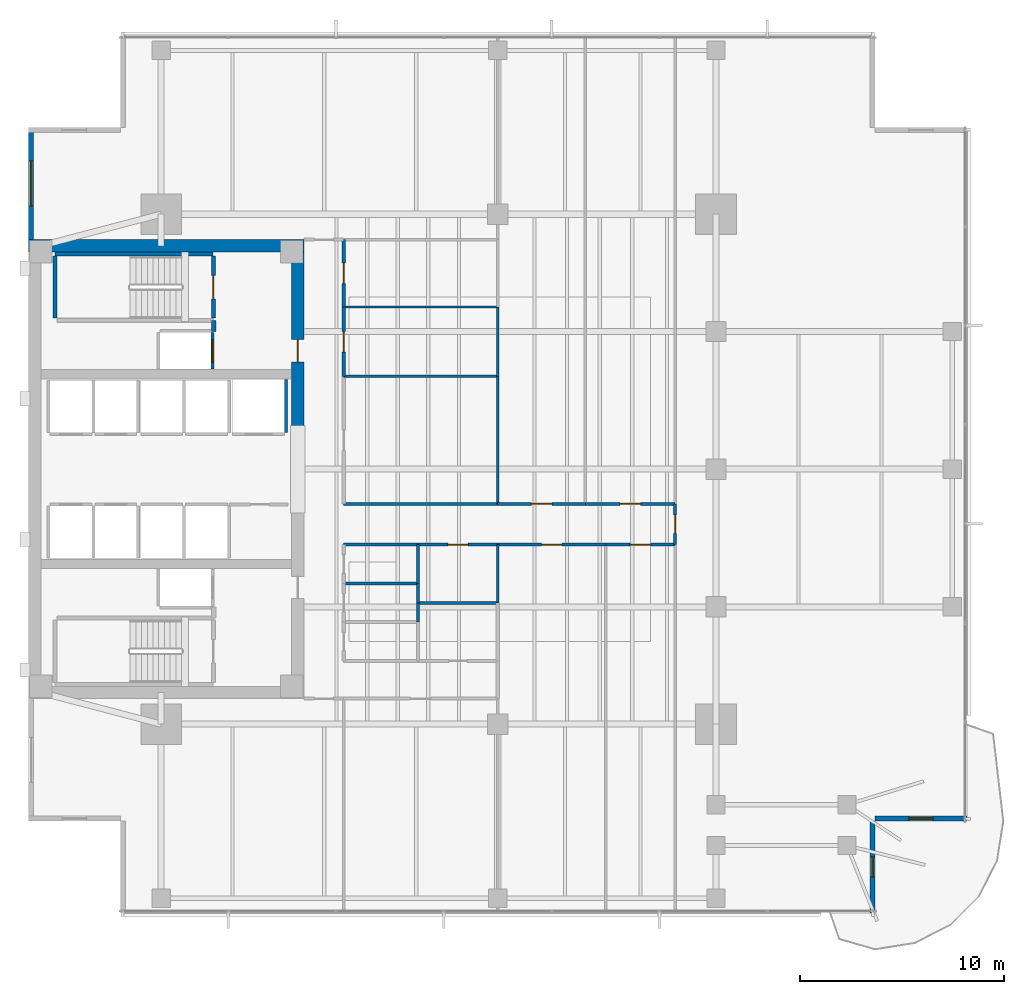
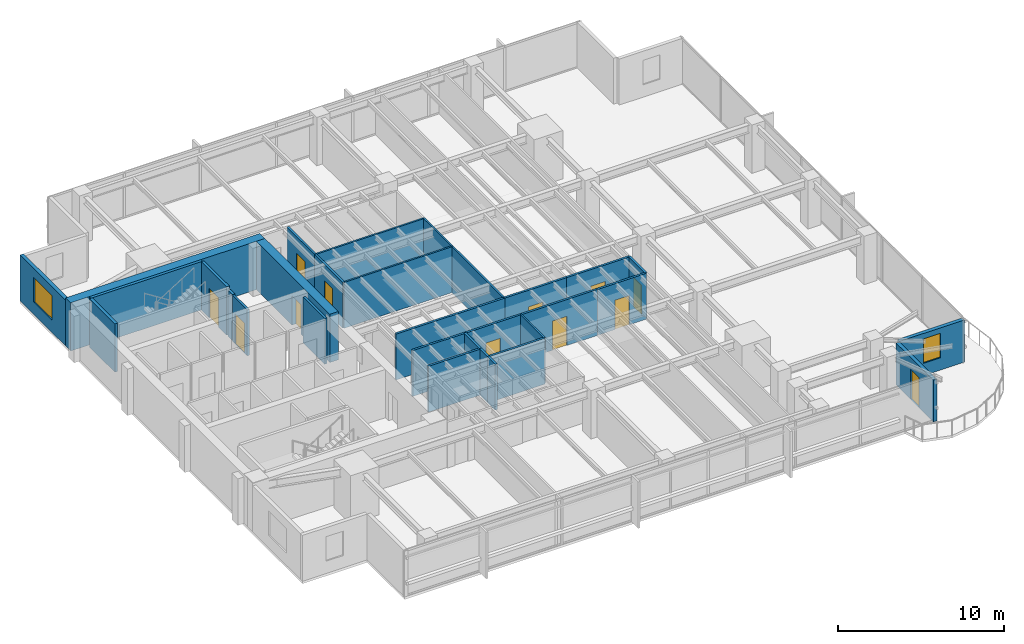
# One storey, part 9 of 14: 31 walls, 12 doors, 2 windows, 14 openings.
"""IFC4 building model written with IfcOpenShell, lengths in metres."""

from ifc_helpers import new_model, si_unit, direction, frame, frame_2d, origin, place, context, subcontext, project, spatial, rectangle, extrude, material, layer, layer_set, type_object, element, fill, save


model = new_model("IFC4")

# Units and contexts
model_context = context("Model", 3, precision=1e-05, world=origin(), true_north=direction((0.0, 1.0)))
body_context = subcontext(model_context, "Body", "Model", "MODEL_VIEW")
ifc_project = project(units=[si_unit("LENGTHUNIT", "METRE"), si_unit("AREAUNIT", "SQUARE_METRE"), si_unit("VOLUMEUNIT", "CUBIC_METRE"), si_unit("PLANEANGLEUNIT", "RADIAN"), si_unit("MASSUNIT", "GRAM", prefix="KILO")], contexts=[model_context])

# Site, building, storey
site_placement = place(None, origin())
site = spatial("IfcSite", under=ifc_project, at=site_placement, CompositionType="ELEMENT")
building_placement = place(site_placement, origin())
building = spatial("IfcBuilding", under=site, at=building_placement, Name="Kinhvarn Gate Tower", CompositionType="ELEMENT")
storey_placement = place(building_placement, frame((0.0, 0.0, 130.64990234375)))
storey = spatial("IfcBuildingStorey", under=building, at=storey_placement, Name="L34", CompositionType="ELEMENT", Elevation=130.64990234375)

# Wall
ifc_material_1 = material(Name="Concrete C60/75", Category="concrete")
ifc_layer_1 = layer(ifc_material_1, 0.60009765625)
ifc_layer_set_1 = layer_set([ifc_layer_1], Name="Concrete C60/75")
wall_type_1 = type_object("IfcWallType", Name="WL-CORE-600", PredefinedType="SHEAR", material=ifc_layer_set_1)
wall_1_placement = place(storey_placement, frame((4.5, 36.199951171875, 0.0), z_axis=(0.0, 0.0, 1.0), x_axis=(1.0, 0.0, 0.0)))
element("IfcWall", 1, at=wall_1_placement, inside=storey, type_object=wall_type_1, Name="Core North Shear Wall L34 600 mm", PredefinedType="SHEAR", context=body_context, shape_type="SweptSolid", body=[
    extrude(rectangle(XDim=13.5, YDim=0.60009765625, at=frame_2d((6.75, 0.0))), origin(), (0.0, 0.0, 1.0), 3.550048828125),
])

# Wall, opening, door
wall_2_placement = place(storey_placement, frame((17.699951171875, 27.050048828125, 0.0), z_axis=(0.0, 0.0, 1.0), x_axis=(0.0, 1.0, 0.0)))
wall_2 = element("IfcWall", 2, at=wall_2_placement, inside=storey, type_object=wall_type_1, Name="Core East-North Shear Pier L34 600 mm", PredefinedType="SHEAR", context=body_context, shape_type="SweptSolid", body=[
    extrude(rectangle(XDim=8.849853515625, YDim=0.60009765625, at=frame_2d((4.4248046875, 0.0))), origin(), (0.0, 0.0, 1.0), 3.550048828125),
])
opening_1_placement = place(wall_2_placement, frame((3.449951171875, 0.0, 0.0)))
opening_1 = element("IfcOpeningElement", 3, at=opening_1_placement, cuts=wall_2, Name="Opening FD-02", PredefinedType="OPENING", context=body_context, shape_type="SweptSolid", body=[
    extrude(rectangle(XDim=1.10009765625, YDim=2.14990234375, at=frame_2d((0.550048828125, 1.074951171875))), frame((0.0, 0.31005859375, 0.0), z_axis=(0.0, -1.0, 0.0), x_axis=(1.0, 0.0, 0.0)), (0.0, 0.0, 1.0), 0.6201171875),
])
ifc_material_2 = material(Name="Anodised aluminium AW-6063", Category="aluminium")
door_type_1 = type_object("IfcDoorType", Name="DR-FD-1100", OperationType="NOTDEFINED", PredefinedType="DOOR", material=ifc_material_2)
door_1_placement = place(opening_1_placement, origin())
door_1 = element("IfcDoor", 4, at=door_1_placement, inside=storey, type_object=door_type_1, Name="Firefighting Lobby Core Door (L34)", OperationType="SINGLE_SWING_LEFT", OverallHeight=2.14990234375, OverallWidth=1.10009765625, PredefinedType="DOOR", context=body_context, shape_type="SweptSolid", body=[
    extrude(rectangle(XDim=1.10009765625, YDim=2.14990234375, at=frame_2d((0.550048828125, 1.074951171875))), frame((0.0, 0.02490234375, 0.0), z_axis=(0.0, -1.0, 0.0), x_axis=(1.0, 0.0, 0.0)), (0.0, 0.0, 1.0), 0.050048828125),
])
fill(opening_1, door_1)

# Wall, opening, window
ifc_material_3 = material(Name="Fired architectural terracotta", Category="masonry")
ifc_layer_2 = layer(ifc_material_3, 0.25)
ifc_layer_set_2 = layer_set([ifc_layer_2], Name="Fired architectural terracotta")
wall_type_2 = type_object("IfcWallType", Name="WL-EXT-250", PredefinedType="SOLIDWALL", material=ifc_layer_set_2)
wall_3_placement = place(storey_placement, frame((4.625, 42.0, 0.0), z_axis=(0.0, 0.0, 1.0), x_axis=(0.0, -1.0, 0.0)))
wall_3 = element("IfcWall", 5, at=wall_3_placement, inside=storey, type_object=wall_type_2, Name="Exterior Solidwall Wall EW-250 (L34 West-North)", PredefinedType="SOLIDWALL", context=body_context, shape_type="SweptSolid", body=[
    extrude(rectangle(XDim=5.5, YDim=0.25, at=frame_2d((2.75, 0.0))), origin(), (0.0, 0.0, 1.0), 3.3701171875),
])
opening_2_placement = place(wall_3_placement, frame((1.64990234375, 0.0, 0.89990234375)))
opening_2 = element("IfcOpeningElement", 6, at=opening_2_placement, cuts=wall_3, Name="Opening WN-01", PredefinedType="OPENING", context=body_context, shape_type="SweptSolid", body=[
    extrude(rectangle(XDim=2.199951171875, YDim=1.800048828125, at=frame_2d((1.10009765625, 0.89990234375))), frame((0.0, 0.135009765625, 0.0), z_axis=(0.0, -1.0, 0.0), x_axis=(1.0, 0.0, 0.0)), (0.0, 0.0, 1.0), 0.27001953125),
])
ifc_material_4 = material(Name="Clear low-e double glazing", Category="glass")
window_type_1 = type_object("IfcWindowType", Name="WIN-RIB-2200", PartitioningType="SINGLE_PANEL", PredefinedType="WINDOW", material=ifc_material_4)
window_1_placement = place(opening_2_placement, origin())
window_1 = element("IfcWindow", 7, at=window_1_placement, inside=storey, type_object=window_type_1, Name="West Flank Double-Glazed Ribbon Window 2200x1800 mm (L34)", OverallHeight=1.800048828125, OverallWidth=2.199951171875, PartitioningType="SINGLE_PANEL", PredefinedType="WINDOW", context=body_context, shape_type="SweptSolid", body=[
    extrude(rectangle(XDim=2.199951171875, YDim=1.800048828125, at=frame_2d((1.10009765625, 0.89990234375))), frame((0.0, 0.030029296875, 0.0), z_axis=(0.0, -1.0, 0.0), x_axis=(1.0, 0.0, 0.0)), (0.0, 0.0, 1.0), 0.06005859375),
])
fill(opening_2, window_1)

# Wall, opening, door
wall_4_placement = place(storey_placement, frame((45.875, 3.5, 0.0), z_axis=(0.0, 0.0, 1.0), x_axis=(0.0, 1.0, 0.0)))
wall_4 = element("IfcWall", 8, at=wall_4_placement, inside=storey, type_object=wall_type_2, Name="Exterior Solidwall Wall EW-250 (L34 SE-Notch-Door)", PredefinedType="SOLIDWALL", context=body_context, shape_type="SweptSolid", body=[
    extrude(rectangle(XDim=4.5, YDim=0.25, at=frame_2d((2.25, 0.0))), origin(), (0.0, 0.0, 1.0), 3.070068359375),
])
opening_3_placement = place(wall_4_placement, frame((1.75, 0.0, 0.0)))
opening_3 = element("IfcOpeningElement", 9, at=opening_3_placement, cuts=wall_4, Name="Opening BD-01", PredefinedType="OPENING", context=body_context, shape_type="SweptSolid", body=[
    extrude(rectangle(XDim=1.0, YDim=2.199951171875, at=frame_2d((0.5, 1.10009765625))), frame((0.0, 0.135009765625, 0.0), z_axis=(0.0, -1.0, 0.0), x_axis=(1.0, 0.0, 0.0)), (0.0, 0.0, 1.0), 0.27001953125),
])
door_type_2 = type_object("IfcDoorType", Name="DR-BAL-1000", OperationType="NOTDEFINED", PredefinedType="DOOR", material=ifc_material_4)
door_2_placement = place(opening_3_placement, frame((1.0, 0.0, 0.0), z_axis=(0.0, 0.0, 1.0), x_axis=(-1.0, 0.0, 0.0)))
door_2 = element("IfcDoor", 10, at=door_2_placement, inside=storey, type_object=door_type_2, Name="S-Carve Balcony Door BD-01 (L34)", OperationType="SINGLE_SWING_LEFT", OverallHeight=2.199951171875, OverallWidth=1.0, PredefinedType="DOOR", context=body_context, shape_type="SweptSolid", body=[
    extrude(rectangle(XDim=1.0, YDim=2.199951171875, at=frame_2d((0.5, 1.10009765625))), frame((0.0, 0.02490234375, 0.0), z_axis=(0.0, -1.0, 0.0), x_axis=(1.0, 0.0, 0.0)), (0.0, 0.0, 1.0), 0.050048828125),
])
fill(opening_3, door_2)

# Wall, opening, window
wall_5_placement = place(storey_placement, frame((46.0, 8.125, 0.0), z_axis=(0.0, 0.0, 1.0), x_axis=(1.0, 0.0, 0.0)))
wall_5 = element("IfcWall", 11, at=wall_5_placement, inside=storey, type_object=wall_type_2, Name="Exterior Solidwall Wall EW-250 (L34 SE-Notch-Win)", PredefinedType="SOLIDWALL", context=body_context, shape_type="SweptSolid", body=[
    extrude(rectangle(XDim=4.5, YDim=0.25, at=frame_2d((2.25, 0.0))), origin(), (0.0, 0.0, 1.0), 3.10009765625),
])
opening_4_placement = place(wall_5_placement, frame((1.64990234375, 0.0, 0.89990234375)))
opening_4 = element("IfcOpeningElement", 12, at=opening_4_placement, cuts=wall_5, Name="Opening WN-02", PredefinedType="OPENING", context=body_context, shape_type="SweptSolid", body=[
    extrude(rectangle(XDim=1.199951171875, YDim=1.800048828125, at=frame_2d((0.60009765625, 0.89990234375))), frame((0.0, 0.135009765625, 0.0), z_axis=(0.0, -1.0, 0.0), x_axis=(1.0, 0.0, 0.0)), (0.0, 0.0, 1.0), 0.27001953125),
])
window_type_2 = type_object("IfcWindowType", Name="WIN-NTC-1200", PartitioningType="SINGLE_PANEL", PredefinedType="WINDOW", material=ifc_material_4)
window_2_placement = place(opening_4_placement, origin())
window_2 = element("IfcWindow", 13, at=window_2_placement, inside=storey, type_object=window_type_2, Name="Recessed Corner Notch Punched Window 1200x1800 mm (L34)", OverallHeight=1.800048828125, OverallWidth=1.199951171875, PartitioningType="SINGLE_PANEL", PredefinedType="WINDOW", context=body_context, shape_type="SweptSolid", body=[
    extrude(rectangle(XDim=1.199951171875, YDim=1.800048828125, at=frame_2d((0.60009765625, 0.89990234375))), frame((0.0, 0.030029296875, 0.0), z_axis=(0.0, -1.0, 0.0), x_axis=(1.0, 0.0, 0.0)), (0.0, 0.0, 1.0), 0.06005859375),
])
fill(opening_4, window_2)

# Walls
ifc_material_5 = material(Name="Gypsum acoustic partition board")
ifc_layer_3 = layer(ifc_material_5, 0.14990234375)
ifc_layer_set_3 = layer_set([ifc_layer_3], Name="Gypsum acoustic partition board")
wall_type_3 = type_object("IfcWallType", Name="WL-PLM-150", PredefinedType="PLUMBINGWALL", material=ifc_layer_set_3)
wall_6_placement = place(storey_placement, frame((19.949951171875, 19.64990234375, 0.0), z_axis=(0.0, 0.0, 1.0), x_axis=(1.0, 0.0, 0.0)))
element("IfcWall", 14, at=wall_6_placement, inside=storey, type_object=wall_type_3, Name="Interior Partition PLW-150 (L34)", PredefinedType="PLUMBINGWALL", context=body_context, shape_type="SweptSolid", body=[
    extrude(rectangle(XDim=3.650146484375, YDim=0.14990234375, at=frame_2d((1.8251953125, 0.0))), origin(), (0.0, 0.0, 1.0), 3.3701171875),
])
for number, where, z_axis, x_axis, name in (
    (15, (23.60009765625, 17.75, 0.0), (0.0, 0.0, 1.0), (0.0, 1.0, 0.0), "Interior Partition PLW-150 (L34)"),
    (16, (23.60009765625, 18.699951171875, 0.0), (0.0, 0.0, 1.0), (0.0, 1.0, 0.0), "Interior Partition PLW-150 (L34)"),
):
    element("IfcWall", number, at=place(storey_placement, frame(where, z_axis=z_axis, x_axis=x_axis)), inside=storey, type_object=wall_type_3, Name=name, PredefinedType="PLUMBINGWALL", context=body_context, shape_type="SweptSolid", body=[
        extrude(rectangle(XDim=0.949951171875, YDim=0.14990234375, at=frame_2d((0.47509765625, 0.0))), origin(), (0.0, 0.0, 1.0), 3.3701171875),
    ])
wall_7_placement = place(storey_placement, frame((23.60009765625, 19.64990234375, 0.0), z_axis=(0.0, 0.0, 1.0), x_axis=(0.0, 1.0, 0.0)))
element("IfcWall", 17, at=wall_7_placement, inside=storey, type_object=wall_type_3, Name="Interior Partition PLW-150 (L34)", PredefinedType="PLUMBINGWALL", context=body_context, shape_type="SweptSolid", body=[
    extrude(rectangle(XDim=1.900146484375, YDim=0.14990234375, at=frame_2d((0.9501953125, 0.0))), origin(), (0.0, 0.0, 1.0), 3.3701171875),
])
wall_8_placement = place(storey_placement, frame((23.60009765625, 18.699951171875, 0.0), z_axis=(0.0, 0.0, 1.0), x_axis=(1.0, 0.0, 0.0)))
element("IfcWall", 18, at=wall_8_placement, inside=storey, type_object=wall_type_3, Name="Interior Partition PLW-150 (L34)", PredefinedType="PLUMBINGWALL", context=body_context, shape_type="SweptSolid", body=[
    extrude(rectangle(XDim=3.89990234375, YDim=0.14990234375, at=frame_2d((1.949951171875, 0.0))), origin(), (0.0, 0.0, 1.0), 3.3701171875),
])
ifc_layer_4 = layer(ifc_material_5, 0.14990234375)
ifc_layer_set_4 = layer_set([ifc_layer_4], Name="Gypsum acoustic partition board")
wall_type_4 = type_object("IfcWallType", Name="WL-PLM-150F", PredefinedType="PLUMBINGWALL", material=ifc_layer_set_4)
wall_9_placement = place(storey_placement, frame((19.949951171875, 21.550048828125, 0.0), z_axis=(0.0, 0.0, 1.0), x_axis=(1.0, 0.0, 0.0)))
element("IfcWall", 19, at=wall_9_placement, inside=storey, type_object=wall_type_4, Name="Interior Partition PLW-150F (L34)", PredefinedType="PLUMBINGWALL", context=body_context, shape_type="SweptSolid", body=[
    extrude(rectangle(XDim=3.650146484375, YDim=0.14990234375, at=frame_2d((1.8251953125, 0.0))), origin(), (0.0, 0.0, 1.0), 3.3701171875),
])
ifc_layer_5 = layer(ifc_material_5, 0.1201171875)
ifc_layer_set_5 = layer_set([ifc_layer_5], Name="Gypsum acoustic partition board")
wall_type_5 = type_object("IfcWallType", Name="WL-PRT-120", PredefinedType="PARTITIONING", material=ifc_layer_set_5)
wall_10_placement = place(storey_placement, frame((27.5, 18.699951171875, 0.0), z_axis=(0.0, 0.0, 1.0), x_axis=(0.0, 1.0, 0.0)))
element("IfcWall", 20, at=wall_10_placement, inside=storey, type_object=wall_type_5, Name="Interior Partition PW-120 (L34)", PredefinedType="PARTITIONING", context=body_context, shape_type="SweptSolid", body=[
    extrude(rectangle(XDim=2.85009765625, YDim=0.1201171875, at=frame_2d((1.425048828125, 0.0))), origin(), (0.0, 0.0, 1.0), 3.3701171875),
])
wall_11_placement = place(storey_placement, frame((19.949951171875, 29.800048828125, 0.0), z_axis=(0.0, 0.0, 1.0), x_axis=(1.0, 0.0, 0.0)))
element("IfcWall", 21, at=wall_11_placement, inside=storey, type_object=wall_type_5, Name="Interior Partition PW-120 (L34)", PredefinedType="PARTITIONING", context=body_context, shape_type="SweptSolid", body=[
    extrude(rectangle(XDim=7.550048828125, YDim=0.1201171875, at=frame_2d((3.77490234375, 0.0))), origin(), (0.0, 0.0, 1.0), 3.3701171875),
])
wall_12_placement = place(storey_placement, frame((27.5, 23.550048828125, 0.0), z_axis=(0.0, 0.0, 1.0), x_axis=(0.0, 1.0, 0.0)))
element("IfcWall", 22, at=wall_12_placement, inside=storey, type_object=wall_type_5, Name="Interior Partition PW-120 (L34)", PredefinedType="PARTITIONING", context=body_context, shape_type="SweptSolid", body=[
    extrude(rectangle(XDim=6.25, YDim=0.1201171875, at=frame_2d((3.125, 0.0))), origin(), (0.0, 0.0, 1.0), 3.3701171875),
])
wall_13_placement = place(storey_placement, frame((19.949951171875, 33.199951171875, 0.0), z_axis=(0.0, 0.0, 1.0), x_axis=(1.0, 0.0, 0.0)))
element("IfcWall", 23, at=wall_13_placement, inside=storey, type_object=wall_type_5, Name="Interior Partition PW-120 (L34)", PredefinedType="PARTITIONING", context=body_context, shape_type="SweptSolid", body=[
    extrude(rectangle(XDim=7.550048828125, YDim=0.1201171875, at=frame_2d((3.77490234375, 0.0))), origin(), (0.0, 0.0, 1.0), 3.3701171875),
])
wall_14_placement = place(storey_placement, frame((27.5, 29.800048828125, 0.0), z_axis=(0.0, 0.0, 1.0), x_axis=(0.0, 1.0, 0.0)))
element("IfcWall", 24, at=wall_14_placement, inside=storey, type_object=wall_type_5, Name="Interior Partition PW-120 (L34)", PredefinedType="PARTITIONING", context=body_context, shape_type="SweptSolid", body=[
    extrude(rectangle(XDim=3.39990234375, YDim=0.1201171875, at=frame_2d((1.699951171875, 0.0))), origin(), (0.0, 0.0, 1.0), 3.3701171875),
])

# Wall, opening, door
ifc_layer_6 = layer(ifc_material_5, 0.14990234375)
ifc_layer_set_6 = layer_set([ifc_layer_6], Name="Gypsum acoustic partition board")
wall_type_6 = type_object("IfcWallType", Name="WL-PRT-150F", PredefinedType="PARTITIONING", material=ifc_layer_set_6)
wall_15_placement = place(storey_placement, frame((19.949951171875, 29.800048828125, 0.0), z_axis=(0.0, 0.0, 1.0), x_axis=(0.0, 1.0, 0.0)))
wall_15 = element("IfcWall", 25, at=wall_15_placement, inside=storey, type_object=wall_type_6, Name="Interior Partition PW-150F (L34)", PredefinedType="PARTITIONING", context=body_context, shape_type="SweptSolid", body=[
    extrude(rectangle(XDim=3.39990234375, YDim=0.14990234375, at=frame_2d((1.699951171875, 0.0))), origin(), (0.0, 0.0, 1.0), 3.3701171875),
])
opening_5_placement = place(wall_15_placement, frame((1.199951171875, 0.0, 0.0)))
opening_5 = element("IfcOpeningElement", 26, at=opening_5_placement, cuts=wall_15, Name="Opening ID-02", PredefinedType="OPENING", context=body_context, shape_type="SweptSolid", body=[
    extrude(rectangle(XDim=1.0, YDim=2.14990234375, at=frame_2d((0.5, 1.074951171875))), frame((0.0, 0.0849609375, 0.0), z_axis=(0.0, -1.0, 0.0), x_axis=(1.0, 0.0, 0.0)), (0.0, 0.0, 1.0), 0.169921875),
])
door_type_3 = type_object("IfcDoorType", Name="DR-INT-1000", OperationType="NOTDEFINED", PredefinedType="DOOR", material=ifc_material_2)
door_3_placement = place(opening_5_placement, origin())
door_3 = element("IfcDoor", 27, at=door_3_placement, inside=storey, type_object=door_type_3, Name="Standard Office & Meeting Room Door 1000x2150 mm (L34)", OperationType="SINGLE_SWING_LEFT", OverallHeight=2.14990234375, OverallWidth=1.0, PredefinedType="DOOR", context=body_context, shape_type="SweptSolid", body=[
    extrude(rectangle(XDim=1.0, YDim=2.14990234375, at=frame_2d((0.5, 1.074951171875))), frame((0.0, 0.02490234375, 0.0), z_axis=(0.0, -1.0, 0.0), x_axis=(1.0, 0.0, 0.0)), (0.0, 0.0, 1.0), 0.050048828125),
])
fill(opening_5, door_3)

wall_16_placement = place(storey_placement, frame((19.949951171875, 33.199951171875, 0.0), z_axis=(0.0, 0.0, 1.0), x_axis=(0.0, 1.0, 0.0)))
wall_16 = element("IfcWall", 28, at=wall_16_placement, inside=storey, type_object=wall_type_6, Name="Interior Partition PW-150F (L34)", PredefinedType="PARTITIONING", context=body_context, shape_type="SweptSolid", body=[
    extrude(rectangle(XDim=3.300048828125, YDim=0.14990234375, at=frame_2d((1.64990234375, 0.0))), origin(), (0.0, 0.0, 1.0), 3.3701171875),
])
opening_6_placement = place(wall_16_placement, frame((1.14990234375, 0.0, 0.0)))
opening_6 = element("IfcOpeningElement", 29, at=opening_6_placement, cuts=wall_16, Name="Opening ID-02", PredefinedType="OPENING", context=body_context, shape_type="SweptSolid", body=[
    extrude(rectangle(XDim=1.0, YDim=2.14990234375, at=frame_2d((0.5, 1.074951171875))), frame((0.0, 0.0849609375, 0.0), z_axis=(0.0, -1.0, 0.0), x_axis=(1.0, 0.0, 0.0)), (0.0, 0.0, 1.0), 0.169921875),
])
door_4_placement = place(opening_6_placement, origin())
door_4 = element("IfcDoor", 30, at=door_4_placement, inside=storey, type_object=door_type_3, Name="Standard Office & Meeting Room Door 1000x2150 mm (L34)", OperationType="SINGLE_SWING_RIGHT", OverallHeight=2.14990234375, OverallWidth=1.0, PredefinedType="DOOR", context=body_context, shape_type="SweptSolid", body=[
    extrude(rectangle(XDim=1.0, YDim=2.14990234375, at=frame_2d((0.5, 1.074951171875))), frame((0.0, 0.02490234375, 0.0), z_axis=(0.0, -1.0, 0.0), x_axis=(1.0, 0.0, 0.0)), (0.0, 0.0, 1.0), 0.050048828125),
])
fill(opening_6, door_4)

wall_17_placement = place(storey_placement, frame((23.60009765625, 21.550048828125, 0.0), z_axis=(0.0, 0.0, 1.0), x_axis=(1.0, 0.0, 0.0)))
wall_17 = element("IfcWall", 31, at=wall_17_placement, inside=storey, type_object=wall_type_6, Name="Interior Partition PW-150F (L34)", PredefinedType="PARTITIONING", context=body_context, shape_type="SweptSolid", body=[
    extrude(rectangle(XDim=3.89990234375, YDim=0.14990234375, at=frame_2d((1.949951171875, 0.0))), origin(), (0.0, 0.0, 1.0), 3.3701171875),
])
opening_7_placement = place(wall_17_placement, frame((1.449951171875, 0.0, 0.0)))
opening_7 = element("IfcOpeningElement", 32, at=opening_7_placement, cuts=wall_17, Name="Opening ID-02", PredefinedType="OPENING", context=body_context, shape_type="SweptSolid", body=[
    extrude(rectangle(XDim=1.0, YDim=2.14990234375, at=frame_2d((0.5, 1.074951171875))), frame((0.0, 0.0849609375, 0.0), z_axis=(0.0, -1.0, 0.0), x_axis=(1.0, 0.0, 0.0)), (0.0, 0.0, 1.0), 0.169921875),
])
door_5_placement = place(opening_7_placement, origin())
door_5 = element("IfcDoor", 33, at=door_5_placement, inside=storey, type_object=door_type_3, Name="Standard Office & Meeting Room Door 1000x2150 mm (L34)", OperationType="SINGLE_SWING_LEFT", OverallHeight=2.14990234375, OverallWidth=1.0, PredefinedType="DOOR", context=body_context, shape_type="SweptSolid", body=[
    extrude(rectangle(XDim=1.0, YDim=2.14990234375, at=frame_2d((0.5, 1.074951171875))), frame((0.0, 0.02490234375, 0.0), z_axis=(0.0, -1.0, 0.0), x_axis=(1.0, 0.0, 0.0)), (0.0, 0.0, 1.0), 0.050048828125),
])
fill(opening_7, door_5)

# Wall
wall_18_placement = place(storey_placement, frame((19.949951171875, 23.550048828125, 0.0), z_axis=(0.0, 0.0, 1.0), x_axis=(1.0, 0.0, 0.0)))
element("IfcWall", 34, at=wall_18_placement, inside=storey, type_object=wall_type_6, Name="Interior Partition PW-150F (L34)", PredefinedType="PARTITIONING", context=body_context, shape_type="SweptSolid", body=[
    extrude(rectangle(XDim=7.550048828125, YDim=0.14990234375, at=frame_2d((3.77490234375, 0.0))), origin(), (0.0, 0.0, 1.0), 3.3701171875),
])

# Wall, opening, door
wall_19_placement = place(storey_placement, frame((27.5, 21.550048828125, 0.0), z_axis=(0.0, 0.0, 1.0), x_axis=(1.0, 0.0, 0.0)))
wall_19 = element("IfcWall", 35, at=wall_19_placement, inside=storey, type_object=wall_type_6, Name="Interior Partition PW-150F (L34)", PredefinedType="PARTITIONING", context=body_context, shape_type="SweptSolid", body=[
    extrude(rectangle(XDim=5.300048828125, YDim=0.14990234375, at=frame_2d((2.64990234375, 0.0))), origin(), (0.0, 0.0, 1.0), 3.3701171875),
])
opening_8_placement = place(wall_19_placement, frame((2.14990234375, 0.0, 0.0)))
opening_8 = element("IfcOpeningElement", 36, at=opening_8_placement, cuts=wall_19, Name="Opening ID-02", PredefinedType="OPENING", context=body_context, shape_type="SweptSolid", body=[
    extrude(rectangle(XDim=1.0, YDim=2.14990234375, at=frame_2d((0.5, 1.074951171875))), frame((0.0, 0.0849609375, 0.0), z_axis=(0.0, -1.0, 0.0), x_axis=(1.0, 0.0, 0.0)), (0.0, 0.0, 1.0), 0.169921875),
])
door_6_placement = place(opening_8_placement, origin())
door_6 = element("IfcDoor", 37, at=door_6_placement, inside=storey, type_object=door_type_3, Name="Standard Office & Meeting Room Door 1000x2150 mm (L34)", OperationType="SINGLE_SWING_RIGHT", OverallHeight=2.14990234375, OverallWidth=1.0, PredefinedType="DOOR", context=body_context, shape_type="SweptSolid", body=[
    extrude(rectangle(XDim=1.0, YDim=2.14990234375, at=frame_2d((0.5, 1.074951171875))), frame((0.0, 0.02490234375, 0.0), z_axis=(0.0, -1.0, 0.0), x_axis=(1.0, 0.0, 0.0)), (0.0, 0.0, 1.0), 0.050048828125),
])
fill(opening_8, door_6)

wall_20_placement = place(storey_placement, frame((32.800048828125, 21.550048828125, 0.0), z_axis=(0.0, 0.0, 1.0), x_axis=(1.0, 0.0, 0.0)))
wall_20 = element("IfcWall", 38, at=wall_20_placement, inside=storey, type_object=wall_type_6, Name="Interior Partition PW-150F (L34)", PredefinedType="PARTITIONING", context=body_context, shape_type="SweptSolid", body=[
    extrude(rectangle(XDim=3.39990234375, YDim=0.14990234375, at=frame_2d((1.699951171875, 0.0))), origin(), (0.0, 0.0, 1.0), 3.3701171875),
])
opening_9_placement = place(wall_20_placement, frame((1.199951171875, 0.0, 0.0)))
opening_9 = element("IfcOpeningElement", 39, at=opening_9_placement, cuts=wall_20, Name="Opening ID-02", PredefinedType="OPENING", context=body_context, shape_type="SweptSolid", body=[
    extrude(rectangle(XDim=1.0, YDim=2.14990234375, at=frame_2d((0.5, 1.074951171875))), frame((0.0, 0.0849609375, 0.0), z_axis=(0.0, -1.0, 0.0), x_axis=(1.0, 0.0, 0.0)), (0.0, 0.0, 1.0), 0.169921875),
])
door_7_placement = place(opening_9_placement, origin())
door_7 = element("IfcDoor", 40, at=door_7_placement, inside=storey, type_object=door_type_3, Name="Standard Office & Meeting Room Door 1000x2150 mm (L34)", OperationType="SINGLE_SWING_LEFT", OverallHeight=2.14990234375, OverallWidth=1.0, PredefinedType="DOOR", context=body_context, shape_type="SweptSolid", body=[
    extrude(rectangle(XDim=1.0, YDim=2.14990234375, at=frame_2d((0.5, 1.074951171875))), frame((0.0, 0.02490234375, 0.0), z_axis=(0.0, -1.0, 0.0), x_axis=(1.0, 0.0, 0.0)), (0.0, 0.0, 1.0), 0.050048828125),
])
fill(opening_9, door_7)

wall_21_placement = place(storey_placement, frame((27.5, 23.550048828125, 0.0), z_axis=(0.0, 0.0, 1.0), x_axis=(1.0, 0.0, 0.0)))
wall_21 = element("IfcWall", 41, at=wall_21_placement, inside=storey, type_object=wall_type_6, Name="Interior Partition PW-150F (L34)", PredefinedType="PARTITIONING", context=body_context, shape_type="SweptSolid", body=[
    extrude(rectangle(XDim=4.300048828125, YDim=0.14990234375, at=frame_2d((2.14990234375, 0.0))), origin(), (0.0, 0.0, 1.0), 3.3701171875),
])
opening_10_placement = place(wall_21_placement, frame((1.64990234375, 0.0, 0.0)))
opening_10 = element("IfcOpeningElement", 42, at=opening_10_placement, cuts=wall_21, Name="Opening ID-02", PredefinedType="OPENING", context=body_context, shape_type="SweptSolid", body=[
    extrude(rectangle(XDim=1.0, YDim=2.14990234375, at=frame_2d((0.5, 1.074951171875))), frame((0.0, 0.0849609375, 0.0), z_axis=(0.0, -1.0, 0.0), x_axis=(1.0, 0.0, 0.0)), (0.0, 0.0, 1.0), 0.169921875),
])
door_8_placement = place(opening_10_placement, origin())
door_8 = element("IfcDoor", 43, at=door_8_placement, inside=storey, type_object=door_type_3, Name="Standard Office & Meeting Room Door 1000x2150 mm (L34)", OperationType="SINGLE_SWING_RIGHT", OverallHeight=2.14990234375, OverallWidth=1.0, PredefinedType="DOOR", context=body_context, shape_type="SweptSolid", body=[
    extrude(rectangle(XDim=1.0, YDim=2.14990234375, at=frame_2d((0.5, 1.074951171875))), frame((0.0, 0.02490234375, 0.0), z_axis=(0.0, -1.0, 0.0), x_axis=(1.0, 0.0, 0.0)), (0.0, 0.0, 1.0), 0.050048828125),
])
fill(opening_10, door_8)

wall_22_placement = place(storey_placement, frame((31.800048828125, 23.550048828125, 0.0), z_axis=(0.0, 0.0, 1.0), x_axis=(1.0, 0.0, 0.0)))
wall_22 = element("IfcWall", 44, at=wall_22_placement, inside=storey, type_object=wall_type_6, Name="Interior Partition PW-150F (L34)", PredefinedType="PARTITIONING", context=body_context, shape_type="SweptSolid", body=[
    extrude(rectangle(XDim=4.39990234375, YDim=0.14990234375, at=frame_2d((2.199951171875, 0.0))), origin(), (0.0, 0.0, 1.0), 3.3701171875),
])
opening_11_placement = place(wall_22_placement, frame((1.699951171875, 0.0, 0.0)))
opening_11 = element("IfcOpeningElement", 45, at=opening_11_placement, cuts=wall_22, Name="Opening ID-02", PredefinedType="OPENING", context=body_context, shape_type="SweptSolid", body=[
    extrude(rectangle(XDim=1.0, YDim=2.14990234375, at=frame_2d((0.5, 1.074951171875))), frame((0.0, 0.0849609375, 0.0), z_axis=(0.0, -1.0, 0.0), x_axis=(1.0, 0.0, 0.0)), (0.0, 0.0, 1.0), 0.169921875),
])
door_9_placement = place(opening_11_placement, origin())
door_9 = element("IfcDoor", 46, at=door_9_placement, inside=storey, type_object=door_type_3, Name="Standard Office & Meeting Room Door 1000x2150 mm (L34)", OperationType="SINGLE_SWING_LEFT", OverallHeight=2.14990234375, OverallWidth=1.0, PredefinedType="DOOR", context=body_context, shape_type="SweptSolid", body=[
    extrude(rectangle(XDim=1.0, YDim=2.14990234375, at=frame_2d((0.5, 1.074951171875))), frame((0.0, 0.02490234375, 0.0), z_axis=(0.0, -1.0, 0.0), x_axis=(1.0, 0.0, 0.0)), (0.0, 0.0, 1.0), 0.050048828125),
])
fill(opening_11, door_9)

wall_23_placement = place(storey_placement, frame((36.199951171875, 21.550048828125, 0.0), z_axis=(0.0, 0.0, 1.0), x_axis=(0.0, 1.0, 0.0)))
wall_23 = element("IfcWall", 47, at=wall_23_placement, inside=storey, type_object=wall_type_6, Name="Interior Partition PW-150F (L34)", PredefinedType="PARTITIONING", context=body_context, shape_type="SweptSolid", body=[
    extrude(rectangle(XDim=2.0, YDim=0.14990234375, at=frame_2d((1.0, 0.0))), origin(), (0.0, 0.0, 1.0), 3.3701171875),
])
opening_12_placement = place(wall_23_placement, frame((0.550048828125, 0.0, 0.0)))
opening_12 = element("IfcOpeningElement", 48, at=opening_12_placement, cuts=wall_23, Name="Opening ID-03", PredefinedType="OPENING", context=body_context, shape_type="SweptSolid", body=[
    extrude(rectangle(XDim=0.89990234375, YDim=2.10009765625, at=frame_2d((0.449951171875, 1.050048828125))), frame((0.0, 0.0849609375, 0.0), z_axis=(0.0, -1.0, 0.0), x_axis=(1.0, 0.0, 0.0)), (0.0, 0.0, 1.0), 0.169921875),
])
door_type_4 = type_object("IfcDoorType", Name="DR-INT-900", OperationType="NOTDEFINED", PredefinedType="DOOR", material=ifc_material_2)
door_10_placement = place(opening_12_placement, origin())
door_10 = element("IfcDoor", 49, at=door_10_placement, inside=storey, type_object=door_type_4, Name="Cellular Office & Restroom Door 900x2100 mm (L34)", OperationType="SINGLE_SWING_RIGHT", OverallHeight=2.10009765625, OverallWidth=0.89990234375, PredefinedType="DOOR", context=body_context, shape_type="SweptSolid", body=[
    extrude(rectangle(XDim=0.89990234375, YDim=2.10009765625, at=frame_2d((0.449951171875, 1.050048828125))), frame((0.0, 0.02490234375, 0.0), z_axis=(0.0, -1.0, 0.0), x_axis=(1.0, 0.0, 0.0)), (0.0, 0.0, 1.0), 0.050048828125),
])
fill(opening_12, door_10)

# Walls
ifc_layer_7 = layer(ifc_material_5, 0.199951171875)
ifc_layer_set_7 = layer_set([ifc_layer_7], Name="Gypsum acoustic partition board")
wall_type_7 = type_object("IfcWallType", Name="WL-PRT-200", PredefinedType="PARTITIONING", material=ifc_layer_set_7)
wall_24_placement = place(storey_placement, frame((13.580078125, 32.0, 0.0), z_axis=(0.0, 0.0, 1.0), x_axis=(0.0, 1.0, 0.0)))
element("IfcWall", 50, at=wall_24_placement, inside=storey, type_object=wall_type_7, Name="Interior Partition PW-200 (L34)", PredefinedType="PARTITIONING", context=body_context, shape_type="SweptSolid", body=[
    extrude(rectangle(XDim=0.5400390625, YDim=0.199951171875, at=frame_2d((0.27001953125, 0.0))), origin(), (0.0, 0.0, 1.0), 3.3701171875),
])
ifc_layer_8 = layer(ifc_material_5, 0.14990234375)
ifc_layer_set_8 = layer_set([ifc_layer_8], Name="Gypsum acoustic partition board")
wall_type_8 = type_object("IfcWallType", Name="WL-SHF-150", PredefinedType="PARTITIONING", material=ifc_layer_set_8)
wall_25_placement = place(storey_placement, frame((17.125, 27.050048828125, 0.0), z_axis=(0.0, 0.0, 1.0), x_axis=(0.0, 1.0, 0.0)))
element("IfcWall", 51, at=wall_25_placement, inside=storey, type_object=wall_type_8, Name="Elevator SV-01 Hoistway Wall E (L34)", PredefinedType="PARTITIONING", context=body_context, shape_type="SweptSolid", body=[
    extrude(rectangle(XDim=2.599853515625, YDim=0.14990234375, at=frame_2d((1.2998046875, 0.0))), origin(), (0.0, 0.0, 1.0), 3.3701171875),
])

# Wall, opening, door
wall_26_placement = place(storey_placement, frame((13.52490234375, 30.14990234375, 0.0), z_axis=(0.0, 0.0, 1.0), x_axis=(0.0, 1.0, 0.0)))
wall_26 = element("IfcWall", 52, at=wall_26_placement, inside=storey, type_object=wall_type_8, Name="Elevator FF2 Landing Wall (L34)", PredefinedType="PARTITIONING", context=body_context, shape_type="SweptSolid", body=[
    extrude(rectangle(XDim=1.800048828125, YDim=0.14990234375, at=frame_2d((0.89990234375, 0.0))), origin(), (0.0, 0.0, 1.0), 3.3701171875),
])
opening_13_placement = place(wall_26_placement, frame((0.35009765625, 0.0, 0.0)))
opening_13 = element("IfcOpeningElement", 53, at=opening_13_placement, cuts=wall_26, Name="Opening LD-03", PredefinedType="OPENING", context=body_context, shape_type="SweptSolid", body=[
    extrude(rectangle(XDim=1.10009765625, YDim=2.199951171875, at=frame_2d((0.550048828125, 1.10009765625))), frame((0.0, 0.0849609375, 0.0), z_axis=(0.0, -1.0, 0.0), x_axis=(1.0, 0.0, 0.0)), (0.0, 0.0, 1.0), 0.169921875),
])
door_type_5 = type_object("IfcDoorType", Name="DR-LND-FF", OperationType="NOTDEFINED", PredefinedType="DOOR", material=ifc_material_2)
door_11_placement = place(opening_13_placement, origin())
door_11 = element("IfcDoor", 54, at=door_11_placement, inside=storey, type_object=door_type_5, Name="Elevator FF2 Sliding Landing Door (L34)", OperationType="DOUBLE_DOOR_SLIDING", OverallHeight=2.199951171875, OverallWidth=1.10009765625, PredefinedType="DOOR", context=body_context, shape_type="SweptSolid", body=[
    extrude(rectangle(XDim=1.10009765625, YDim=2.199951171875, at=frame_2d((0.550048828125, 1.10009765625))), frame((0.0, 0.02490234375, 0.0), z_axis=(0.0, -1.0, 0.0), x_axis=(1.0, 0.0, 0.0)), (0.0, 0.0, 1.0), 0.050048828125),
])
fill(opening_13, door_11)

# Walls
ifc_material_6 = material(Name="Concrete C40/50", Category="concrete")
ifc_layer_9 = layer(ifc_material_6, 0.199951171875)
ifc_layer_set_9 = layer_set([ifc_layer_9], Name="Concrete C40/50")
wall_type_9 = type_object("IfcWallType", Name="WL-SHF-200", PredefinedType="SOLIDWALL", material=ifc_layer_set_9)
wall_27_placement = place(storey_placement, frame((5.800048828125, 35.800048828125, 0.0), z_axis=(0.0, 0.0, 1.0), x_axis=(1.0, 0.0, 0.0)))
element("IfcWall", 55, at=wall_27_placement, inside=storey, type_object=wall_type_9, Name="Stair ST2 North Shaft Wall (L34)", PredefinedType="SOLIDWALL", context=body_context, shape_type="SweptSolid", body=[
    extrude(rectangle(XDim=7.75, YDim=0.199951171875, at=frame_2d((3.875, 0.0))), origin(), (0.0, 0.0, 1.0), 3.550048828125),
])
wall_28_placement = place(storey_placement, frame((5.7900390625, 32.64990234375, 0.0), z_axis=(0.0, 0.0, 1.0), x_axis=(0.0, 1.0, 0.0)))
element("IfcWall", 56, at=wall_28_placement, inside=storey, type_object=wall_type_9, Name="Stair ST2 West Shaft Wall (L34)", PredefinedType="SOLIDWALL", context=body_context, shape_type="SweptSolid", body=[
    extrude(rectangle(XDim=3.050048828125, YDim=0.199951171875, at=frame_2d((1.52490234375, 0.0))), origin(), (0.0, 0.0, 1.0), 3.550048828125),
])

# Wall, opening, door
wall_29_placement = place(storey_placement, frame((13.56005859375, 32.64990234375, 0.0), z_axis=(0.0, 0.0, 1.0), x_axis=(0.0, 1.0, 0.0)))
wall_29 = element("IfcWall", 57, at=wall_29_placement, inside=storey, type_object=wall_type_9, Name="Stair ST2 East Entry Wall (L34)", PredefinedType="SOLIDWALL", context=body_context, shape_type="SweptSolid", body=[
    extrude(rectangle(XDim=3.050048828125, YDim=0.199951171875, at=frame_2d((1.52490234375, 0.0))), origin(), (0.0, 0.0, 1.0), 3.550048828125),
])
opening_14_placement = place(wall_29_placement, frame((0.949951171875, 0.0, 0.0)))
opening_14 = element("IfcOpeningElement", 58, at=opening_14_placement, cuts=wall_29, Name="Opening FD-01", PredefinedType="OPENING", context=body_context, shape_type="SweptSolid", body=[
    extrude(rectangle(XDim=1.14990234375, YDim=2.14990234375, at=frame_2d((0.574951171875, 1.074951171875))), frame((0.0, 0.10986328125, 0.0), z_axis=(0.0, -1.0, 0.0), x_axis=(1.0, 0.0, 0.0)), (0.0, 0.0, 1.0), 0.219970703125),
])
door_type_6 = type_object("IfcDoorType", Name="DR-ST-1150", OperationType="NOTDEFINED", PredefinedType="DOOR", material=ifc_material_2)
door_12_placement = place(opening_14_placement, origin())
door_12 = element("IfcDoor", 59, at=door_12_placement, inside=storey, type_object=door_type_6, Name="Exit Stair ST2 Fire Door (L34)", OperationType="SINGLE_SWING_LEFT", OverallHeight=2.14990234375, OverallWidth=1.14990234375, PredefinedType="DOOR", context=body_context, shape_type="SweptSolid", body=[
    extrude(rectangle(XDim=1.14990234375, YDim=2.14990234375, at=frame_2d((0.574951171875, 1.074951171875))), frame((0.0, 0.02490234375, 0.0), z_axis=(0.0, -1.0, 0.0), x_axis=(1.0, 0.0, 0.0)), (0.0, 0.0, 1.0), 0.050048828125),
])
fill(opening_14, door_12)

save(model, "model.ifc")
